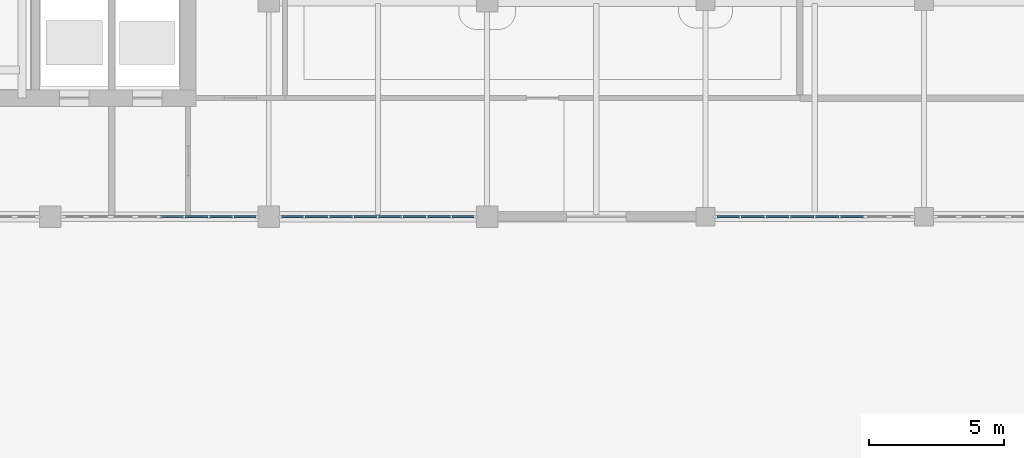
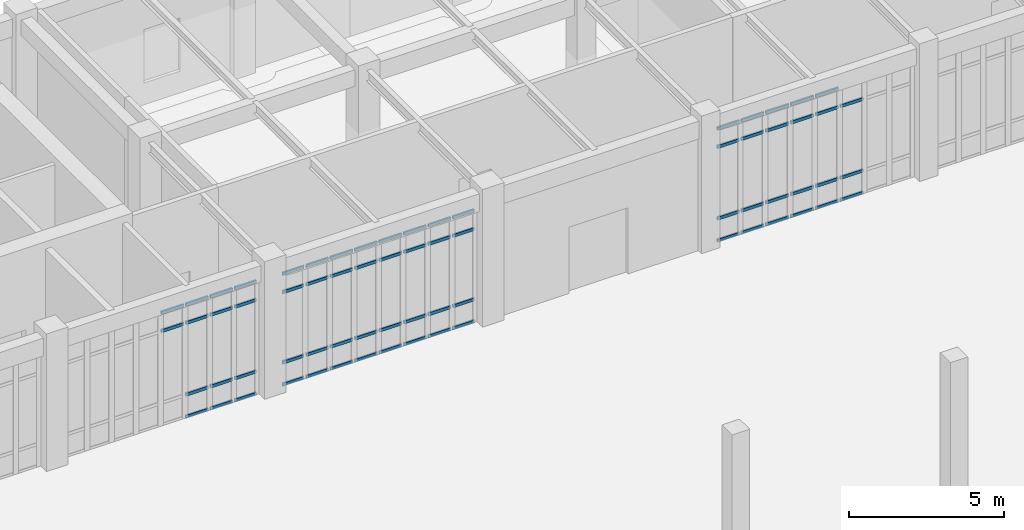
# One storey, part 25 of 62: 69 members, 3 elements without a shape of their own.
"""IFC4 building model written with IfcOpenShell, lengths in metres."""

from ifc_helpers import new_model, si_unit, direction, frame, origin, origin_2d, place, context, subcontext, project, spatial, rectangle, extrude, material, material_profile, profile_set, type_object, element, aggregate, save


model = new_model("IFC4")

# Units and contexts
model_context = context("Model", 3, precision=1e-05, world=origin(), true_north=direction((0.0, 1.0)))
body_context = subcontext(model_context, "Body", "Model", "MODEL_VIEW")
ifc_project = project(units=[si_unit("LENGTHUNIT", "METRE"), si_unit("AREAUNIT", "SQUARE_METRE"), si_unit("VOLUMEUNIT", "CUBIC_METRE"), si_unit("PLANEANGLEUNIT", "RADIAN"), si_unit("MASSUNIT", "GRAM", prefix="KILO")], contexts=[model_context])

# Site, building, storey
site_placement = place(None, origin())
site = spatial("IfcSite", under=ifc_project, at=site_placement, CompositionType="ELEMENT")
building_placement = place(site_placement, origin())
building = spatial("IfcBuilding", under=site, at=building_placement, Name="Tarnveldt Square Police Headquarters", CompositionType="ELEMENT")
storey_placement = place(building_placement, origin())
storey = spatial("IfcBuildingStorey", under=building, at=storey_placement, Name="L00", CompositionType="ELEMENT", Elevation=0.0)

# Curtain wall, members
ifc_material_1 = material(Name="Triple-glazed low-e laminated vision glass", Category="glass")
curtain_wall_type_1 = type_object("IfcCurtainWallType", Name="CW-LB-727x446", PredefinedType="USERDEFINED", material=ifc_material_1)
curtain_wall_1_placement = place(storey_placement, origin())
curtain_wall_1 = element("IfcCurtainWall", 1, at=curtain_wall_1_placement, inside=storey, type_object=curtain_wall_type_1, Name="L00 Curtain Wall CW-L00-100", ObjectType="GLAZED CURTAIN WALL", PredefinedType="USERDEFINED")
ifc_material_2 = material(Name="Thermally broken anodised aluminium 6063-T6", Category="aluminium")
ifc_material_profile = material_profile(ifc_material_2, rectangle(XDim=0.06494140625, YDim=0.1201171875, at=origin_2d()), Name="CW-T65x120")
ifc_profile_set = profile_set([ifc_material_profile], Name="Thermally broken anodised aluminium 6063-T6")
member_type = type_object("IfcMemberType", Name="CWT-65x120", PredefinedType="USERDEFINED", material=ifc_profile_set)
member_1_placement = place(storey_placement, frame((60.78759765625, 96.0, 3.7119140625), z_axis=(1.0, 0.0, 0.0), x_axis=(0.0, 1.0, 0.0)))
member_1 = element("IfcMember", 2, at=member_1_placement, type_object=member_type, Name="CW-LB57 transom 5.3", ObjectType="TRANSOM", PredefinedType="USERDEFINED", context=body_context, shape_type="SweptSolid", body=[
    extrude(rectangle(XDim=0.06494140625, YDim=0.1201171875, at=origin_2d()), origin(), (0.0, 0.0, 1.0), 0.833740234375),
])
member_2_placement = place(storey_placement, frame((60.78759765625, 96.0, 4.429443359375), z_axis=(1.0, 0.0, 0.0), x_axis=(0.0, 1.0, 0.0)))
member_2 = element("IfcMember", 3, at=member_2_placement, type_object=member_type, Name="CW-LB57 transom 5.4", ObjectType="TRANSOM", PredefinedType="USERDEFINED", context=body_context, shape_type="SweptSolid", body=[
    extrude(rectangle(XDim=0.06494140625, YDim=0.1201171875, at=origin_2d()), origin(), (0.0, 0.0, 1.0), 0.833740234375),
])
member_3_placement = place(storey_placement, frame((61.6962890625, 96.0, 0.032470703125), z_axis=(1.0, 0.0, 0.0), x_axis=(0.0, 1.0, 0.0)))
member_3 = element("IfcMember", 4, at=member_3_placement, type_object=member_type, Name="CW-LB57 transom 6.1", ObjectType="TRANSOM", PredefinedType="USERDEFINED", context=body_context, shape_type="SweptSolid", body=[
    extrude(rectangle(XDim=0.06494140625, YDim=0.1201171875, at=origin_2d()), origin(), (0.0, 0.0, 1.0), 0.833740234375),
])
member_4_placement = place(storey_placement, frame((61.6962890625, 96.0, 0.89990234375), z_axis=(1.0, 0.0, 0.0), x_axis=(0.0, 1.0, 0.0)))
member_4 = element("IfcMember", 5, at=member_4_placement, type_object=member_type, Name="CW-LB57 transom 6.2", ObjectType="TRANSOM", PredefinedType="USERDEFINED", context=body_context, shape_type="SweptSolid", body=[
    extrude(rectangle(XDim=0.06494140625, YDim=0.1201171875, at=origin_2d()), origin(), (0.0, 0.0, 1.0), 0.833740234375),
])
member_5_placement = place(storey_placement, frame((61.6962890625, 96.0, 3.7119140625), z_axis=(1.0, 0.0, 0.0), x_axis=(0.0, 1.0, 0.0)))
member_5 = element("IfcMember", 6, at=member_5_placement, type_object=member_type, Name="CW-LB57 transom 6.3", ObjectType="TRANSOM", PredefinedType="USERDEFINED", context=body_context, shape_type="SweptSolid", body=[
    extrude(rectangle(XDim=0.06494140625, YDim=0.1201171875, at=origin_2d()), origin(), (0.0, 0.0, 1.0), 0.833740234375),
])
member_6_placement = place(storey_placement, frame((61.6962890625, 96.0, 4.429443359375), z_axis=(1.0, 0.0, 0.0), x_axis=(0.0, 1.0, 0.0)))
member_6 = element("IfcMember", 7, at=member_6_placement, type_object=member_type, Name="CW-LB57 transom 6.4", ObjectType="TRANSOM", PredefinedType="USERDEFINED", context=body_context, shape_type="SweptSolid", body=[
    extrude(rectangle(XDim=0.06494140625, YDim=0.1201171875, at=origin_2d()), origin(), (0.0, 0.0, 1.0), 0.833740234375),
])
member_7_placement = place(storey_placement, frame((62.60498046875, 96.0, 0.032470703125), z_axis=(1.0, 0.0, 0.0), x_axis=(0.0, 1.0, 0.0)))
member_7 = element("IfcMember", 8, at=member_7_placement, type_object=member_type, Name="CW-LB57 transom 7.1", ObjectType="TRANSOM", PredefinedType="USERDEFINED", context=body_context, shape_type="SweptSolid", body=[
    extrude(rectangle(XDim=0.06494140625, YDim=0.1201171875, at=origin_2d()), origin(), (0.0, 0.0, 1.0), 0.833740234375),
])
member_8_placement = place(storey_placement, frame((62.60498046875, 96.0, 0.89990234375), z_axis=(1.0, 0.0, 0.0), x_axis=(0.0, 1.0, 0.0)))
member_8 = element("IfcMember", 9, at=member_8_placement, type_object=member_type, Name="CW-LB57 transom 7.2", ObjectType="TRANSOM", PredefinedType="USERDEFINED", context=body_context, shape_type="SweptSolid", body=[
    extrude(rectangle(XDim=0.06494140625, YDim=0.1201171875, at=origin_2d()), origin(), (0.0, 0.0, 1.0), 0.833740234375),
])
member_9_placement = place(storey_placement, frame((62.60498046875, 96.0, 3.7119140625), z_axis=(1.0, 0.0, 0.0), x_axis=(0.0, 1.0, 0.0)))
member_9 = element("IfcMember", 10, at=member_9_placement, type_object=member_type, Name="CW-LB57 transom 7.3", ObjectType="TRANSOM", PredefinedType="USERDEFINED", context=body_context, shape_type="SweptSolid", body=[
    extrude(rectangle(XDim=0.06494140625, YDim=0.1201171875, at=origin_2d()), origin(), (0.0, 0.0, 1.0), 0.833740234375),
])
member_10_placement = place(storey_placement, frame((62.60498046875, 96.0, 4.429443359375), z_axis=(1.0, 0.0, 0.0), x_axis=(0.0, 1.0, 0.0)))
member_10 = element("IfcMember", 11, at=member_10_placement, type_object=member_type, Name="CW-LB57 transom 7.4", ObjectType="TRANSOM", PredefinedType="USERDEFINED", context=body_context, shape_type="SweptSolid", body=[
    extrude(rectangle(XDim=0.06494140625, YDim=0.1201171875, at=origin_2d()), origin(), (0.0, 0.0, 1.0), 0.833740234375),
])
member_11_placement = place(storey_placement, frame((63.513671875, 96.0, 0.032470703125), z_axis=(1.0, 0.0, 0.0), x_axis=(0.0, 1.0, 0.0)))
member_11 = element("IfcMember", 12, at=member_11_placement, type_object=member_type, Name="CW-LB57 transom 8.1", ObjectType="TRANSOM", PredefinedType="USERDEFINED", context=body_context, shape_type="SweptSolid", body=[
    extrude(rectangle(XDim=0.06494140625, YDim=0.1201171875, at=origin_2d()), origin(), (0.0, 0.0, 1.0), 0.79638671875),
])
member_12_placement = place(storey_placement, frame((63.513671875, 96.0, 0.89990234375), z_axis=(1.0, 0.0, 0.0), x_axis=(0.0, 1.0, 0.0)))
member_12 = element("IfcMember", 13, at=member_12_placement, type_object=member_type, Name="CW-LB57 transom 8.2", ObjectType="TRANSOM", PredefinedType="USERDEFINED", context=body_context, shape_type="SweptSolid", body=[
    extrude(rectangle(XDim=0.06494140625, YDim=0.1201171875, at=origin_2d()), origin(), (0.0, 0.0, 1.0), 0.79638671875),
])
member_13_placement = place(storey_placement, frame((63.513671875, 96.0, 3.7119140625), z_axis=(1.0, 0.0, 0.0), x_axis=(0.0, 1.0, 0.0)))
member_13 = element("IfcMember", 14, at=member_13_placement, type_object=member_type, Name="CW-LB57 transom 8.3", ObjectType="TRANSOM", PredefinedType="USERDEFINED", context=body_context, shape_type="SweptSolid", body=[
    extrude(rectangle(XDim=0.06494140625, YDim=0.1201171875, at=origin_2d()), origin(), (0.0, 0.0, 1.0), 0.79638671875),
])
member_14_placement = place(storey_placement, frame((63.513671875, 96.0, 4.429443359375), z_axis=(1.0, 0.0, 0.0), x_axis=(0.0, 1.0, 0.0)))
member_14 = element("IfcMember", 15, at=member_14_placement, type_object=member_type, Name="CW-LB57 transom 8.4", ObjectType="TRANSOM", PredefinedType="USERDEFINED", context=body_context, shape_type="SweptSolid", body=[
    extrude(rectangle(XDim=0.06494140625, YDim=0.1201171875, at=origin_2d()), origin(), (0.0, 0.0, 1.0), 0.79638671875),
])
aggregate(curtain_wall_1, [member_1, member_2, member_3, member_4, member_5, member_6, member_7, member_8, member_9, member_10, member_11, member_12, member_13, member_14])

curtain_wall_type_2 = type_object("IfcCurtainWallType", Name="CW-LB-727x441", PredefinedType="USERDEFINED", material=ifc_material_1)
curtain_wall_2_placement = place(storey_placement, origin())
curtain_wall_2 = element("IfcCurtainWall", 16, at=curtain_wall_2_placement, inside=storey, type_object=curtain_wall_type_2, Name="L00 Curtain Wall CW-L00-101", ObjectType="GLAZED CURTAIN WALL", PredefinedType="USERDEFINED")
member_15_placement = place(storey_placement, frame((65.2900390625, 96.0, 0.032470703125), z_axis=(1.0, 0.0, 0.0), x_axis=(0.0, 1.0, 0.0)))
member_15 = element("IfcMember", 17, at=member_15_placement, type_object=member_type, Name="CW-LB56 transom 1.1", ObjectType="TRANSOM", PredefinedType="USERDEFINED", context=body_context, shape_type="SweptSolid", body=[
    extrude(rectangle(XDim=0.06494140625, YDim=0.1201171875, at=origin_2d()), origin(), (0.0, 0.0, 1.0), 0.796142578125),
])
member_16_placement = place(storey_placement, frame((65.2900390625, 96.0, 0.89990234375), z_axis=(1.0, 0.0, 0.0), x_axis=(0.0, 1.0, 0.0)))
member_16 = element("IfcMember", 18, at=member_16_placement, type_object=member_type, Name="CW-LB56 transom 1.2", ObjectType="TRANSOM", PredefinedType="USERDEFINED", context=body_context, shape_type="SweptSolid", body=[
    extrude(rectangle(XDim=0.06494140625, YDim=0.1201171875, at=origin_2d()), origin(), (0.0, 0.0, 1.0), 0.796142578125),
])
member_17_placement = place(storey_placement, frame((65.2900390625, 96.0, 3.662109375), z_axis=(1.0, 0.0, 0.0), x_axis=(0.0, 1.0, 0.0)))
member_17 = element("IfcMember", 19, at=member_17_placement, type_object=member_type, Name="CW-LB56 transom 1.3", ObjectType="TRANSOM", PredefinedType="USERDEFINED", context=body_context, shape_type="SweptSolid", body=[
    extrude(rectangle(XDim=0.06494140625, YDim=0.1201171875, at=origin_2d()), origin(), (0.0, 0.0, 1.0), 0.796142578125),
])
member_18_placement = place(storey_placement, frame((65.2900390625, 96.0, 4.37939453125), z_axis=(1.0, 0.0, 0.0), x_axis=(0.0, 1.0, 0.0)))
member_18 = element("IfcMember", 20, at=member_18_placement, type_object=member_type, Name="CW-LB56 transom 1.4", ObjectType="TRANSOM", PredefinedType="USERDEFINED", context=body_context, shape_type="SweptSolid", body=[
    extrude(rectangle(XDim=0.06494140625, YDim=0.1201171875, at=origin_2d()), origin(), (0.0, 0.0, 1.0), 0.796142578125),
])
member_19_placement = place(storey_placement, frame((66.1611328125, 96.0, 0.032470703125), z_axis=(1.0, 0.0, 0.0), x_axis=(0.0, 1.0, 0.0)))
member_19 = element("IfcMember", 21, at=member_19_placement, type_object=member_type, Name="CW-LB56 transom 2.1", ObjectType="TRANSOM", PredefinedType="USERDEFINED", context=body_context, shape_type="SweptSolid", body=[
    extrude(rectangle(XDim=0.06494140625, YDim=0.1201171875, at=origin_2d()), origin(), (0.0, 0.0, 1.0), 0.833984375),
])
member_20_placement = place(storey_placement, frame((66.1611328125, 96.0, 0.89990234375), z_axis=(1.0, 0.0, 0.0), x_axis=(0.0, 1.0, 0.0)))
member_20 = element("IfcMember", 22, at=member_20_placement, type_object=member_type, Name="CW-LB56 transom 2.2", ObjectType="TRANSOM", PredefinedType="USERDEFINED", context=body_context, shape_type="SweptSolid", body=[
    extrude(rectangle(XDim=0.06494140625, YDim=0.1201171875, at=origin_2d()), origin(), (0.0, 0.0, 1.0), 0.833984375),
])
member_21_placement = place(storey_placement, frame((66.1611328125, 96.0, 3.662109375), z_axis=(1.0, 0.0, 0.0), x_axis=(0.0, 1.0, 0.0)))
member_21 = element("IfcMember", 23, at=member_21_placement, type_object=member_type, Name="CW-LB56 transom 2.3", ObjectType="TRANSOM", PredefinedType="USERDEFINED", context=body_context, shape_type="SweptSolid", body=[
    extrude(rectangle(XDim=0.06494140625, YDim=0.1201171875, at=origin_2d()), origin(), (0.0, 0.0, 1.0), 0.833984375),
])
member_22_placement = place(storey_placement, frame((66.1611328125, 96.0, 4.37939453125), z_axis=(1.0, 0.0, 0.0), x_axis=(0.0, 1.0, 0.0)))
member_22 = element("IfcMember", 24, at=member_22_placement, type_object=member_type, Name="CW-LB56 transom 2.4", ObjectType="TRANSOM", PredefinedType="USERDEFINED", context=body_context, shape_type="SweptSolid", body=[
    extrude(rectangle(XDim=0.06494140625, YDim=0.1201171875, at=origin_2d()), origin(), (0.0, 0.0, 1.0), 0.833984375),
])
member_23_placement = place(storey_placement, frame((67.070068359375, 96.0, 0.032470703125), z_axis=(1.0, 0.0, 0.0), x_axis=(0.0, 1.0, 0.0)))
member_23 = element("IfcMember", 25, at=member_23_placement, type_object=member_type, Name="CW-LB56 transom 3.1", ObjectType="TRANSOM", PredefinedType="USERDEFINED", context=body_context, shape_type="SweptSolid", body=[
    extrude(rectangle(XDim=0.06494140625, YDim=0.1201171875, at=origin_2d()), origin(), (0.0, 0.0, 1.0), 0.833740234375),
])
member_24_placement = place(storey_placement, frame((67.070068359375, 96.0, 0.89990234375), z_axis=(1.0, 0.0, 0.0), x_axis=(0.0, 1.0, 0.0)))
member_24 = element("IfcMember", 26, at=member_24_placement, type_object=member_type, Name="CW-LB56 transom 3.2", ObjectType="TRANSOM", PredefinedType="USERDEFINED", context=body_context, shape_type="SweptSolid", body=[
    extrude(rectangle(XDim=0.06494140625, YDim=0.1201171875, at=origin_2d()), origin(), (0.0, 0.0, 1.0), 0.833740234375),
])
member_25_placement = place(storey_placement, frame((67.070068359375, 96.0, 3.662109375), z_axis=(1.0, 0.0, 0.0), x_axis=(0.0, 1.0, 0.0)))
member_25 = element("IfcMember", 27, at=member_25_placement, type_object=member_type, Name="CW-LB56 transom 3.3", ObjectType="TRANSOM", PredefinedType="USERDEFINED", context=body_context, shape_type="SweptSolid", body=[
    extrude(rectangle(XDim=0.06494140625, YDim=0.1201171875, at=origin_2d()), origin(), (0.0, 0.0, 1.0), 0.833740234375),
])
member_26_placement = place(storey_placement, frame((67.070068359375, 96.0, 4.37939453125), z_axis=(1.0, 0.0, 0.0), x_axis=(0.0, 1.0, 0.0)))
member_26 = element("IfcMember", 28, at=member_26_placement, type_object=member_type, Name="CW-LB56 transom 3.4", ObjectType="TRANSOM", PredefinedType="USERDEFINED", context=body_context, shape_type="SweptSolid", body=[
    extrude(rectangle(XDim=0.06494140625, YDim=0.1201171875, at=origin_2d()), origin(), (0.0, 0.0, 1.0), 0.833740234375),
])
member_27_placement = place(storey_placement, frame((67.978759765625, 96.0, 0.032470703125), z_axis=(1.0, 0.0, 0.0), x_axis=(0.0, 1.0, 0.0)))
member_27 = element("IfcMember", 29, at=member_27_placement, type_object=member_type, Name="CW-LB56 transom 4.1", ObjectType="TRANSOM", PredefinedType="USERDEFINED", context=body_context, shape_type="SweptSolid", body=[
    extrude(rectangle(XDim=0.06494140625, YDim=0.1201171875, at=origin_2d()), origin(), (0.0, 0.0, 1.0), 0.833740234375),
])
member_28_placement = place(storey_placement, frame((67.978759765625, 96.0, 0.89990234375), z_axis=(1.0, 0.0, 0.0), x_axis=(0.0, 1.0, 0.0)))
member_28 = element("IfcMember", 30, at=member_28_placement, type_object=member_type, Name="CW-LB56 transom 4.2", ObjectType="TRANSOM", PredefinedType="USERDEFINED", context=body_context, shape_type="SweptSolid", body=[
    extrude(rectangle(XDim=0.06494140625, YDim=0.1201171875, at=origin_2d()), origin(), (0.0, 0.0, 1.0), 0.833740234375),
])
member_29_placement = place(storey_placement, frame((67.978759765625, 96.0, 3.662109375), z_axis=(1.0, 0.0, 0.0), x_axis=(0.0, 1.0, 0.0)))
member_29 = element("IfcMember", 31, at=member_29_placement, type_object=member_type, Name="CW-LB56 transom 4.3", ObjectType="TRANSOM", PredefinedType="USERDEFINED", context=body_context, shape_type="SweptSolid", body=[
    extrude(rectangle(XDim=0.06494140625, YDim=0.1201171875, at=origin_2d()), origin(), (0.0, 0.0, 1.0), 0.833740234375),
])
member_30_placement = place(storey_placement, frame((67.978759765625, 96.0, 4.37939453125), z_axis=(1.0, 0.0, 0.0), x_axis=(0.0, 1.0, 0.0)))
member_30 = element("IfcMember", 32, at=member_30_placement, type_object=member_type, Name="CW-LB56 transom 4.4", ObjectType="TRANSOM", PredefinedType="USERDEFINED", context=body_context, shape_type="SweptSolid", body=[
    extrude(rectangle(XDim=0.06494140625, YDim=0.1201171875, at=origin_2d()), origin(), (0.0, 0.0, 1.0), 0.833740234375),
])
member_31_placement = place(storey_placement, frame((68.887451171875, 96.0, 0.032470703125), z_axis=(1.0, 0.0, 0.0), x_axis=(0.0, 1.0, 0.0)))
member_31 = element("IfcMember", 33, at=member_31_placement, type_object=member_type, Name="CW-LB56 transom 5.1", ObjectType="TRANSOM", PredefinedType="USERDEFINED", context=body_context, shape_type="SweptSolid", body=[
    extrude(rectangle(XDim=0.06494140625, YDim=0.1201171875, at=origin_2d()), origin(), (0.0, 0.0, 1.0), 0.833740234375),
])
member_32_placement = place(storey_placement, frame((68.887451171875, 96.0, 0.89990234375), z_axis=(1.0, 0.0, 0.0), x_axis=(0.0, 1.0, 0.0)))
member_32 = element("IfcMember", 34, at=member_32_placement, type_object=member_type, Name="CW-LB56 transom 5.2", ObjectType="TRANSOM", PredefinedType="USERDEFINED", context=body_context, shape_type="SweptSolid", body=[
    extrude(rectangle(XDim=0.06494140625, YDim=0.1201171875, at=origin_2d()), origin(), (0.0, 0.0, 1.0), 0.833740234375),
])
member_33_placement = place(storey_placement, frame((68.887451171875, 96.0, 3.662109375), z_axis=(1.0, 0.0, 0.0), x_axis=(0.0, 1.0, 0.0)))
member_33 = element("IfcMember", 35, at=member_33_placement, type_object=member_type, Name="CW-LB56 transom 5.3", ObjectType="TRANSOM", PredefinedType="USERDEFINED", context=body_context, shape_type="SweptSolid", body=[
    extrude(rectangle(XDim=0.06494140625, YDim=0.1201171875, at=origin_2d()), origin(), (0.0, 0.0, 1.0), 0.833740234375),
])
member_34_placement = place(storey_placement, frame((68.887451171875, 96.0, 4.37939453125), z_axis=(1.0, 0.0, 0.0), x_axis=(0.0, 1.0, 0.0)))
member_34 = element("IfcMember", 36, at=member_34_placement, type_object=member_type, Name="CW-LB56 transom 5.4", ObjectType="TRANSOM", PredefinedType="USERDEFINED", context=body_context, shape_type="SweptSolid", body=[
    extrude(rectangle(XDim=0.06494140625, YDim=0.1201171875, at=origin_2d()), origin(), (0.0, 0.0, 1.0), 0.833740234375),
])
member_35_placement = place(storey_placement, frame((69.796142578125, 96.0, 0.032470703125), z_axis=(1.0, 0.0, 0.0), x_axis=(0.0, 1.0, 0.0)))
member_35 = element("IfcMember", 37, at=member_35_placement, type_object=member_type, Name="CW-LB56 transom 6.1", ObjectType="TRANSOM", PredefinedType="USERDEFINED", context=body_context, shape_type="SweptSolid", body=[
    extrude(rectangle(XDim=0.06494140625, YDim=0.1201171875, at=origin_2d()), origin(), (0.0, 0.0, 1.0), 0.833740234375),
])
member_36_placement = place(storey_placement, frame((69.796142578125, 96.0, 0.89990234375), z_axis=(1.0, 0.0, 0.0), x_axis=(0.0, 1.0, 0.0)))
member_36 = element("IfcMember", 38, at=member_36_placement, type_object=member_type, Name="CW-LB56 transom 6.2", ObjectType="TRANSOM", PredefinedType="USERDEFINED", context=body_context, shape_type="SweptSolid", body=[
    extrude(rectangle(XDim=0.06494140625, YDim=0.1201171875, at=origin_2d()), origin(), (0.0, 0.0, 1.0), 0.833740234375),
])
member_37_placement = place(storey_placement, frame((69.796142578125, 96.0, 3.662109375), z_axis=(1.0, 0.0, 0.0), x_axis=(0.0, 1.0, 0.0)))
member_37 = element("IfcMember", 39, at=member_37_placement, type_object=member_type, Name="CW-LB56 transom 6.3", ObjectType="TRANSOM", PredefinedType="USERDEFINED", context=body_context, shape_type="SweptSolid", body=[
    extrude(rectangle(XDim=0.06494140625, YDim=0.1201171875, at=origin_2d()), origin(), (0.0, 0.0, 1.0), 0.833740234375),
])
member_38_placement = place(storey_placement, frame((69.796142578125, 96.0, 4.37939453125), z_axis=(1.0, 0.0, 0.0), x_axis=(0.0, 1.0, 0.0)))
member_38 = element("IfcMember", 40, at=member_38_placement, type_object=member_type, Name="CW-LB56 transom 6.4", ObjectType="TRANSOM", PredefinedType="USERDEFINED", context=body_context, shape_type="SweptSolid", body=[
    extrude(rectangle(XDim=0.06494140625, YDim=0.1201171875, at=origin_2d()), origin(), (0.0, 0.0, 1.0), 0.833740234375),
])
member_39_placement = place(storey_placement, frame((70.705078125, 96.0, 0.032470703125), z_axis=(1.0, 0.0, 0.0), x_axis=(0.0, 1.0, 0.0)))
member_39 = element("IfcMember", 41, at=member_39_placement, type_object=member_type, Name="CW-LB56 transom 7.1", ObjectType="TRANSOM", PredefinedType="USERDEFINED", context=body_context, shape_type="SweptSolid", body=[
    extrude(rectangle(XDim=0.06494140625, YDim=0.1201171875, at=origin_2d()), origin(), (0.0, 0.0, 1.0), 0.833740234375),
])
member_40_placement = place(storey_placement, frame((70.705078125, 96.0, 0.89990234375), z_axis=(1.0, 0.0, 0.0), x_axis=(0.0, 1.0, 0.0)))
member_40 = element("IfcMember", 42, at=member_40_placement, type_object=member_type, Name="CW-LB56 transom 7.2", ObjectType="TRANSOM", PredefinedType="USERDEFINED", context=body_context, shape_type="SweptSolid", body=[
    extrude(rectangle(XDim=0.06494140625, YDim=0.1201171875, at=origin_2d()), origin(), (0.0, 0.0, 1.0), 0.833740234375),
])
member_41_placement = place(storey_placement, frame((70.705078125, 96.0, 3.662109375), z_axis=(1.0, 0.0, 0.0), x_axis=(0.0, 1.0, 0.0)))
member_41 = element("IfcMember", 43, at=member_41_placement, type_object=member_type, Name="CW-LB56 transom 7.3", ObjectType="TRANSOM", PredefinedType="USERDEFINED", context=body_context, shape_type="SweptSolid", body=[
    extrude(rectangle(XDim=0.06494140625, YDim=0.1201171875, at=origin_2d()), origin(), (0.0, 0.0, 1.0), 0.833740234375),
])
member_42_placement = place(storey_placement, frame((70.705078125, 96.0, 4.37939453125), z_axis=(1.0, 0.0, 0.0), x_axis=(0.0, 1.0, 0.0)))
member_42 = element("IfcMember", 44, at=member_42_placement, type_object=member_type, Name="CW-LB56 transom 7.4", ObjectType="TRANSOM", PredefinedType="USERDEFINED", context=body_context, shape_type="SweptSolid", body=[
    extrude(rectangle(XDim=0.06494140625, YDim=0.1201171875, at=origin_2d()), origin(), (0.0, 0.0, 1.0), 0.833740234375),
])
member_43_placement = place(storey_placement, frame((71.61376953125, 96.0, 0.032470703125), z_axis=(1.0, 0.0, 0.0), x_axis=(0.0, 1.0, 0.0)))
member_43 = element("IfcMember", 45, at=member_43_placement, type_object=member_type, Name="CW-LB56 transom 8.1", ObjectType="TRANSOM", PredefinedType="USERDEFINED", context=body_context, shape_type="SweptSolid", body=[
    extrude(rectangle(XDim=0.06494140625, YDim=0.1201171875, at=origin_2d()), origin(), (0.0, 0.0, 1.0), 0.796142578125),
])
member_44_placement = place(storey_placement, frame((71.61376953125, 96.0, 0.89990234375), z_axis=(1.0, 0.0, 0.0), x_axis=(0.0, 1.0, 0.0)))
member_44 = element("IfcMember", 46, at=member_44_placement, type_object=member_type, Name="CW-LB56 transom 8.2", ObjectType="TRANSOM", PredefinedType="USERDEFINED", context=body_context, shape_type="SweptSolid", body=[
    extrude(rectangle(XDim=0.06494140625, YDim=0.1201171875, at=origin_2d()), origin(), (0.0, 0.0, 1.0), 0.796142578125),
])
member_45_placement = place(storey_placement, frame((71.61376953125, 96.0, 3.662109375), z_axis=(1.0, 0.0, 0.0), x_axis=(0.0, 1.0, 0.0)))
member_45 = element("IfcMember", 47, at=member_45_placement, type_object=member_type, Name="CW-LB56 transom 8.3", ObjectType="TRANSOM", PredefinedType="USERDEFINED", context=body_context, shape_type="SweptSolid", body=[
    extrude(rectangle(XDim=0.06494140625, YDim=0.1201171875, at=origin_2d()), origin(), (0.0, 0.0, 1.0), 0.796142578125),
])
member_46_placement = place(storey_placement, frame((71.61376953125, 96.0, 4.37939453125), z_axis=(1.0, 0.0, 0.0), x_axis=(0.0, 1.0, 0.0)))
member_46 = element("IfcMember", 48, at=member_46_placement, type_object=member_type, Name="CW-LB56 transom 8.4", ObjectType="TRANSOM", PredefinedType="USERDEFINED", context=body_context, shape_type="SweptSolid", body=[
    extrude(rectangle(XDim=0.06494140625, YDim=0.1201171875, at=origin_2d()), origin(), (0.0, 0.0, 1.0), 0.796142578125),
])
aggregate(curtain_wall_2, [member_15, member_16, member_17, member_18, member_19, member_20, member_21, member_22, member_23, member_24, member_25, member_26, member_27, member_28, member_29, member_30, member_31, member_32, member_33, member_34, member_35, member_36, member_37, member_38, member_39, member_40, member_41, member_42, member_43, member_44, member_45, member_46])

curtain_wall_type_3 = type_object("IfcCurtainWallType", Name="CW-LB-737x446", PredefinedType="USERDEFINED", material=ifc_material_1)
curtain_wall_3_placement = place(storey_placement, origin())
curtain_wall_3 = element("IfcCurtainWall", 49, at=curtain_wall_3_placement, inside=storey, type_object=curtain_wall_type_3, Name="L00 Curtain Wall CW-L00-102", ObjectType="GLAZED CURTAIN WALL", PredefinedType="USERDEFINED")
member_47_placement = place(storey_placement, frame((81.43994140625, 96.0, 0.032470703125), z_axis=(1.0, 0.0, 0.0), x_axis=(0.0, 1.0, 0.0)))
member_47 = element("IfcMember", 50, at=member_47_placement, type_object=member_type, Name="CW-LB58 transom 1.1", ObjectType="TRANSOM", PredefinedType="USERDEFINED", context=body_context, shape_type="SweptSolid", body=[
    extrude(rectangle(XDim=0.06494140625, YDim=0.1201171875, at=origin_2d()), origin(), (0.0, 0.0, 1.0), 0.808837890625),
])
member_48_placement = place(storey_placement, frame((81.43994140625, 96.0, 0.89990234375), z_axis=(1.0, 0.0, 0.0), x_axis=(0.0, 1.0, 0.0)))
member_48 = element("IfcMember", 51, at=member_48_placement, type_object=member_type, Name="CW-LB58 transom 1.2", ObjectType="TRANSOM", PredefinedType="USERDEFINED", context=body_context, shape_type="SweptSolid", body=[
    extrude(rectangle(XDim=0.06494140625, YDim=0.1201171875, at=origin_2d()), origin(), (0.0, 0.0, 1.0), 0.808837890625),
])
member_49_placement = place(storey_placement, frame((81.43994140625, 96.0, 3.7119140625), z_axis=(1.0, 0.0, 0.0), x_axis=(0.0, 1.0, 0.0)))
member_49 = element("IfcMember", 52, at=member_49_placement, type_object=member_type, Name="CW-LB58 transom 1.3", ObjectType="TRANSOM", PredefinedType="USERDEFINED", context=body_context, shape_type="SweptSolid", body=[
    extrude(rectangle(XDim=0.06494140625, YDim=0.1201171875, at=origin_2d()), origin(), (0.0, 0.0, 1.0), 0.808837890625),
])
member_50_placement = place(storey_placement, frame((81.43994140625, 96.0, 4.429443359375), z_axis=(1.0, 0.0, 0.0), x_axis=(0.0, 1.0, 0.0)))
member_50 = element("IfcMember", 53, at=member_50_placement, type_object=member_type, Name="CW-LB58 transom 1.4", ObjectType="TRANSOM", PredefinedType="USERDEFINED", context=body_context, shape_type="SweptSolid", body=[
    extrude(rectangle(XDim=0.06494140625, YDim=0.1201171875, at=origin_2d()), origin(), (0.0, 0.0, 1.0), 0.808837890625),
])
member_51_placement = place(storey_placement, frame((82.32373046875, 96.0, 0.032470703125), z_axis=(1.0, 0.0, 0.0), x_axis=(0.0, 1.0, 0.0)))
member_51 = element("IfcMember", 54, at=member_51_placement, type_object=member_type, Name="CW-LB58 transom 2.1", ObjectType="TRANSOM", PredefinedType="USERDEFINED", context=body_context, shape_type="SweptSolid", body=[
    extrude(rectangle(XDim=0.06494140625, YDim=0.1201171875, at=origin_2d()), origin(), (0.0, 0.0, 1.0), 0.84619140625),
])
member_52_placement = place(storey_placement, frame((82.32373046875, 96.0, 0.89990234375), z_axis=(1.0, 0.0, 0.0), x_axis=(0.0, 1.0, 0.0)))
member_52 = element("IfcMember", 55, at=member_52_placement, type_object=member_type, Name="CW-LB58 transom 2.2", ObjectType="TRANSOM", PredefinedType="USERDEFINED", context=body_context, shape_type="SweptSolid", body=[
    extrude(rectangle(XDim=0.06494140625, YDim=0.1201171875, at=origin_2d()), origin(), (0.0, 0.0, 1.0), 0.84619140625),
])
member_53_placement = place(storey_placement, frame((82.32373046875, 96.0, 3.7119140625), z_axis=(1.0, 0.0, 0.0), x_axis=(0.0, 1.0, 0.0)))
member_53 = element("IfcMember", 56, at=member_53_placement, type_object=member_type, Name="CW-LB58 transom 2.3", ObjectType="TRANSOM", PredefinedType="USERDEFINED", context=body_context, shape_type="SweptSolid", body=[
    extrude(rectangle(XDim=0.06494140625, YDim=0.1201171875, at=origin_2d()), origin(), (0.0, 0.0, 1.0), 0.84619140625),
])
member_54_placement = place(storey_placement, frame((82.32373046875, 96.0, 4.429443359375), z_axis=(1.0, 0.0, 0.0), x_axis=(0.0, 1.0, 0.0)))
member_54 = element("IfcMember", 57, at=member_54_placement, type_object=member_type, Name="CW-LB58 transom 2.4", ObjectType="TRANSOM", PredefinedType="USERDEFINED", context=body_context, shape_type="SweptSolid", body=[
    extrude(rectangle(XDim=0.06494140625, YDim=0.1201171875, at=origin_2d()), origin(), (0.0, 0.0, 1.0), 0.84619140625),
])
member_55_placement = place(storey_placement, frame((83.2451171875, 96.0, 0.032470703125), z_axis=(1.0, 0.0, 0.0), x_axis=(0.0, 1.0, 0.0)))
member_55 = element("IfcMember", 58, at=member_55_placement, type_object=member_type, Name="CW-LB58 transom 3.1", ObjectType="TRANSOM", PredefinedType="USERDEFINED", context=body_context, shape_type="SweptSolid", body=[
    extrude(rectangle(XDim=0.06494140625, YDim=0.1201171875, at=origin_2d()), origin(), (0.0, 0.0, 1.0), 0.84619140625),
])
member_56_placement = place(storey_placement, frame((83.2451171875, 96.0, 0.89990234375), z_axis=(1.0, 0.0, 0.0), x_axis=(0.0, 1.0, 0.0)))
member_56 = element("IfcMember", 59, at=member_56_placement, type_object=member_type, Name="CW-LB58 transom 3.2", ObjectType="TRANSOM", PredefinedType="USERDEFINED", context=body_context, shape_type="SweptSolid", body=[
    extrude(rectangle(XDim=0.06494140625, YDim=0.1201171875, at=origin_2d()), origin(), (0.0, 0.0, 1.0), 0.84619140625),
])
member_57_placement = place(storey_placement, frame((83.2451171875, 96.0, 3.7119140625), z_axis=(1.0, 0.0, 0.0), x_axis=(0.0, 1.0, 0.0)))
member_57 = element("IfcMember", 60, at=member_57_placement, type_object=member_type, Name="CW-LB58 transom 3.3", ObjectType="TRANSOM", PredefinedType="USERDEFINED", context=body_context, shape_type="SweptSolid", body=[
    extrude(rectangle(XDim=0.06494140625, YDim=0.1201171875, at=origin_2d()), origin(), (0.0, 0.0, 1.0), 0.84619140625),
])
member_58_placement = place(storey_placement, frame((83.2451171875, 96.0, 4.429443359375), z_axis=(1.0, 0.0, 0.0), x_axis=(0.0, 1.0, 0.0)))
member_58 = element("IfcMember", 61, at=member_58_placement, type_object=member_type, Name="CW-LB58 transom 3.4", ObjectType="TRANSOM", PredefinedType="USERDEFINED", context=body_context, shape_type="SweptSolid", body=[
    extrude(rectangle(XDim=0.06494140625, YDim=0.1201171875, at=origin_2d()), origin(), (0.0, 0.0, 1.0), 0.84619140625),
])
member_59_placement = place(storey_placement, frame((84.166259765625, 96.0, 0.032470703125), z_axis=(1.0, 0.0, 0.0), x_axis=(0.0, 1.0, 0.0)))
member_59 = element("IfcMember", 62, at=member_59_placement, type_object=member_type, Name="CW-LB58 transom 4.1", ObjectType="TRANSOM", PredefinedType="USERDEFINED", context=body_context, shape_type="SweptSolid", body=[
    extrude(rectangle(XDim=0.06494140625, YDim=0.1201171875, at=origin_2d()), origin(), (0.0, 0.0, 1.0), 0.84619140625),
])
member_60_placement = place(storey_placement, frame((84.166259765625, 96.0, 0.89990234375), z_axis=(1.0, 0.0, 0.0), x_axis=(0.0, 1.0, 0.0)))
member_60 = element("IfcMember", 63, at=member_60_placement, type_object=member_type, Name="CW-LB58 transom 4.2", ObjectType="TRANSOM", PredefinedType="USERDEFINED", context=body_context, shape_type="SweptSolid", body=[
    extrude(rectangle(XDim=0.06494140625, YDim=0.1201171875, at=origin_2d()), origin(), (0.0, 0.0, 1.0), 0.84619140625),
])
member_61_placement = place(storey_placement, frame((84.166259765625, 96.0, 3.7119140625), z_axis=(1.0, 0.0, 0.0), x_axis=(0.0, 1.0, 0.0)))
member_61 = element("IfcMember", 64, at=member_61_placement, type_object=member_type, Name="CW-LB58 transom 4.3", ObjectType="TRANSOM", PredefinedType="USERDEFINED", context=body_context, shape_type="SweptSolid", body=[
    extrude(rectangle(XDim=0.06494140625, YDim=0.1201171875, at=origin_2d()), origin(), (0.0, 0.0, 1.0), 0.84619140625),
])
member_62_placement = place(storey_placement, frame((84.166259765625, 96.0, 4.429443359375), z_axis=(1.0, 0.0, 0.0), x_axis=(0.0, 1.0, 0.0)))
member_62 = element("IfcMember", 65, at=member_62_placement, type_object=member_type, Name="CW-LB58 transom 4.4", ObjectType="TRANSOM", PredefinedType="USERDEFINED", context=body_context, shape_type="SweptSolid", body=[
    extrude(rectangle(XDim=0.06494140625, YDim=0.1201171875, at=origin_2d()), origin(), (0.0, 0.0, 1.0), 0.84619140625),
])
member_63_placement = place(storey_placement, frame((85.08740234375, 96.0, 0.032470703125), z_axis=(1.0, 0.0, 0.0), x_axis=(0.0, 1.0, 0.0)))
member_63 = element("IfcMember", 66, at=member_63_placement, type_object=member_type, Name="CW-LB58 transom 5.1", ObjectType="TRANSOM", PredefinedType="USERDEFINED", context=body_context, shape_type="SweptSolid", body=[
    extrude(rectangle(XDim=0.06494140625, YDim=0.1201171875, at=origin_2d()), origin(), (0.0, 0.0, 1.0), 0.846435546875),
])
member_64_placement = place(storey_placement, frame((85.08740234375, 96.0, 0.89990234375), z_axis=(1.0, 0.0, 0.0), x_axis=(0.0, 1.0, 0.0)))
member_64 = element("IfcMember", 67, at=member_64_placement, type_object=member_type, Name="CW-LB58 transom 5.2", ObjectType="TRANSOM", PredefinedType="USERDEFINED", context=body_context, shape_type="SweptSolid", body=[
    extrude(rectangle(XDim=0.06494140625, YDim=0.1201171875, at=origin_2d()), origin(), (0.0, 0.0, 1.0), 0.846435546875),
])
member_65_placement = place(storey_placement, frame((85.08740234375, 96.0, 3.7119140625), z_axis=(1.0, 0.0, 0.0), x_axis=(0.0, 1.0, 0.0)))
member_65 = element("IfcMember", 68, at=member_65_placement, type_object=member_type, Name="CW-LB58 transom 5.3", ObjectType="TRANSOM", PredefinedType="USERDEFINED", context=body_context, shape_type="SweptSolid", body=[
    extrude(rectangle(XDim=0.06494140625, YDim=0.1201171875, at=origin_2d()), origin(), (0.0, 0.0, 1.0), 0.846435546875),
])
member_66_placement = place(storey_placement, frame((85.08740234375, 96.0, 4.429443359375), z_axis=(1.0, 0.0, 0.0), x_axis=(0.0, 1.0, 0.0)))
member_66 = element("IfcMember", 69, at=member_66_placement, type_object=member_type, Name="CW-LB58 transom 5.4", ObjectType="TRANSOM", PredefinedType="USERDEFINED", context=body_context, shape_type="SweptSolid", body=[
    extrude(rectangle(XDim=0.06494140625, YDim=0.1201171875, at=origin_2d()), origin(), (0.0, 0.0, 1.0), 0.846435546875),
])
member_67_placement = place(storey_placement, frame((86.0087890625, 96.0, 0.032470703125), z_axis=(1.0, 0.0, 0.0), x_axis=(0.0, 1.0, 0.0)))
member_67 = element("IfcMember", 70, at=member_67_placement, type_object=member_type, Name="CW-LB58 transom 6.1", ObjectType="TRANSOM", PredefinedType="USERDEFINED", context=body_context, shape_type="SweptSolid", body=[
    extrude(rectangle(XDim=0.06494140625, YDim=0.1201171875, at=origin_2d()), origin(), (0.0, 0.0, 1.0), 0.84619140625),
])
member_68_placement = place(storey_placement, frame((86.0087890625, 96.0, 0.89990234375), z_axis=(1.0, 0.0, 0.0), x_axis=(0.0, 1.0, 0.0)))
member_68 = element("IfcMember", 71, at=member_68_placement, type_object=member_type, Name="CW-LB58 transom 6.2", ObjectType="TRANSOM", PredefinedType="USERDEFINED", context=body_context, shape_type="SweptSolid", body=[
    extrude(rectangle(XDim=0.06494140625, YDim=0.1201171875, at=origin_2d()), origin(), (0.0, 0.0, 1.0), 0.84619140625),
])
member_69_placement = place(storey_placement, frame((86.0087890625, 96.0, 3.7119140625), z_axis=(1.0, 0.0, 0.0), x_axis=(0.0, 1.0, 0.0)))
member_69 = element("IfcMember", 72, at=member_69_placement, type_object=member_type, Name="CW-LB58 transom 6.3", ObjectType="TRANSOM", PredefinedType="USERDEFINED", context=body_context, shape_type="SweptSolid", body=[
    extrude(rectangle(XDim=0.06494140625, YDim=0.1201171875, at=origin_2d()), origin(), (0.0, 0.0, 1.0), 0.84619140625),
])
aggregate(curtain_wall_3, [member_47, member_48, member_49, member_50, member_51, member_52, member_53, member_54, member_55, member_56, member_57, member_58, member_59, member_60, member_61, member_62, member_63, member_64, member_65, member_66, member_67, member_68, member_69])

save(model, "model.ifc")
